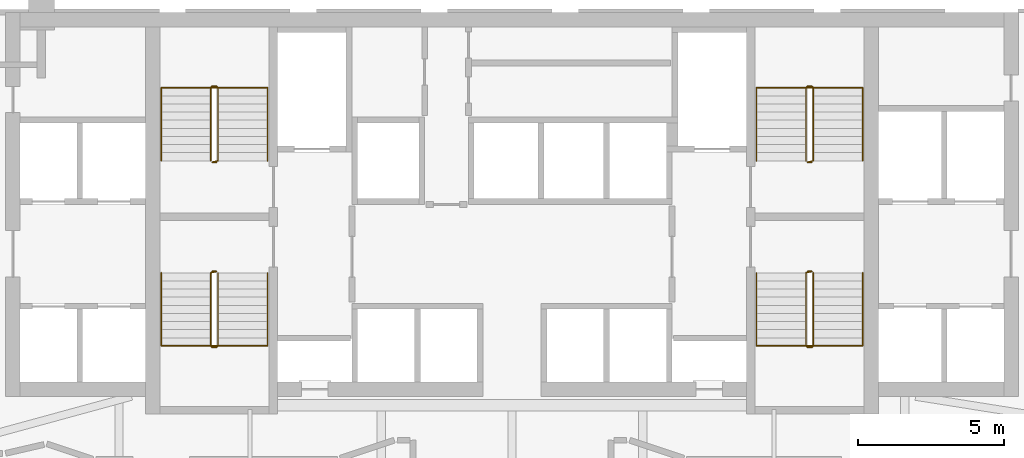
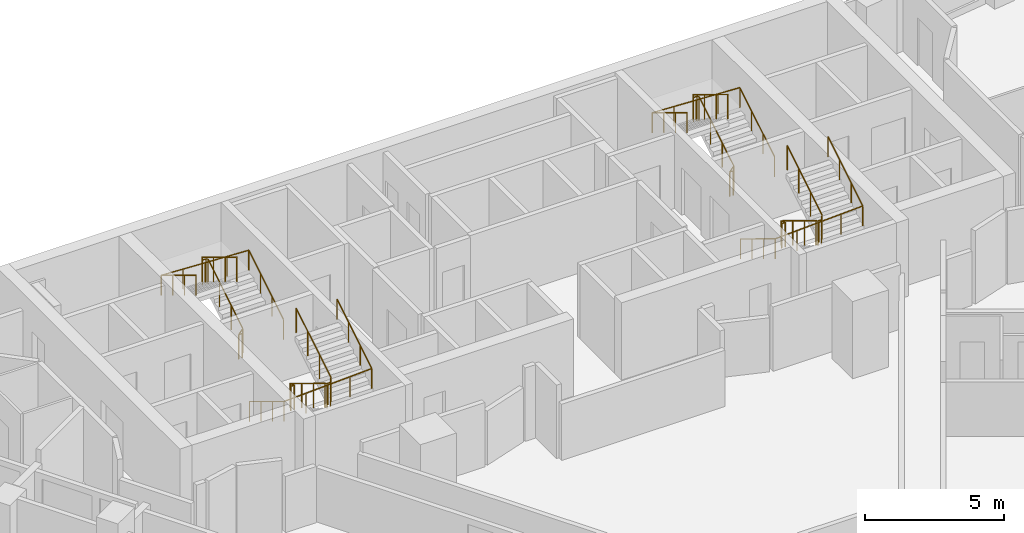
# One storey, part 10 of 10: 8 railings.
"""IFC4 building model written with IfcOpenShell, lengths in metres."""

from ifc_helpers import new_model, si_unit, direction, frame, origin, origin_2d, place, context, subcontext, project, spatial, circle, extrude, material, type_object, element, save


model = new_model("IFC4")

# Units and contexts
model_context = context("Model", 3, precision=1e-05, world=origin(), true_north=direction((0.0, 1.0)))
body_context = subcontext(model_context, "Body", "Model", "MODEL_VIEW")
ifc_project = project(units=[si_unit("LENGTHUNIT", "METRE"), si_unit("AREAUNIT", "SQUARE_METRE"), si_unit("VOLUMEUNIT", "CUBIC_METRE"), si_unit("PLANEANGLEUNIT", "RADIAN"), si_unit("MASSUNIT", "GRAM", prefix="KILO")], contexts=[model_context])

# Site, building, storey
site_placement = place(None, origin())
site = spatial("IfcSite", under=ifc_project, at=site_placement, CompositionType="ELEMENT")
building_placement = place(site_placement, origin())
building = spatial("IfcBuilding", under=site, at=building_placement, Name="Calabash Gate Tower", CompositionType="ELEMENT")
storey_placement = place(building_placement, frame((0.0, 0.0, 108.800048828125)))
storey = spatial("IfcBuildingStorey", under=building, at=storey_placement, Name="L24", CompositionType="ELEMENT", Elevation=108.800048828125)

# Railings
ifc_material_1 = material(Name="Black powder-coated steel balusters", Category="steel")
railing_type_1 = type_object("IfcRailingType", Name="Stair guard RL1100", PredefinedType="GUARDRAIL", material=ifc_material_1)
railing_1_placement = place(storey_placement, frame((-10.14990234375, 13.902587890625, 0.0)))
element("IfcRailing", 1, at=railing_1_placement, inside=storey, type_object=railing_type_1, Name="L24 ST1 stair guard 1", PredefinedType="GUARDRAIL", context=body_context, shape_type="SweptSolid", body=[
    extrude(circle(Radius=0.02392578125, at=origin_2d()), frame((0.0, 0.0, 1.076171875), z_axis=(-1.0, 0.0, 0.0), x_axis=(0.0, -1.0, 0.0)), (0.0, 0.0, 1.0), 0.150146484375),
    extrude(circle(Radius=0.02392578125, at=origin_2d()), frame((-0.150146484375, 0.0, 1.076171875), z_axis=(0.748514443355, 0.187357095101, 0.636100186295), x_axis=(-0.242814311512, 0.970072785993, 0.0)), (0.0, 0.0, 1.0), 0.26708984375),
    extrude(circle(Radius=0.02392578125, at=origin_2d()), frame((0.0498046875, 0.050048828125, 1.24609375), z_axis=(0.0, 0.853956361026, 0.520344629514), x_axis=(-1.0, 0.0, 0.0)), (0.0, 0.0, 1.0), 2.9404296875),
    extrude(circle(Radius=0.02392578125, at=origin_2d()), frame((0.0498046875, 2.56103515625, 2.77587890625), z_axis=(-0.705375805398, 0.708833529934, 0.0), x_axis=(-0.708833529934, -0.705375805398, 0.0)), (0.0, 0.0, 1.0), 0.070556640625),
    extrude(circle(Radius=0.02392578125, at=origin_2d()), frame((0.0, 2.611083984375, 2.77587890625), z_axis=(-1.0, 0.0, 0.0), x_axis=(0.0, -1.0, 0.0)), (0.0, 0.0, 1.0), 0.150146484375),
    extrude(circle(Radius=0.02392578125, at=origin_2d()), frame((-0.150146484375, 2.611083984375, 2.77587890625), z_axis=(-0.271895245746, -0.271895245746, 0.923117517265), x_axis=(0.707106781187, -0.707106781187, 0.0)), (0.0, 0.0, 1.0), 0.18408203125),
    extrude(circle(Radius=0.02392578125, at=origin_2d()), frame((-0.2001953125, 2.56103515625, 2.94580078125), z_axis=(0.0, -0.853956361026, 0.520344629514), x_axis=(1.0, 0.0, 0.0)), (0.0, 0.0, 1.0), 2.9404296875),
    extrude(circle(Radius=0.02099609375, at=origin_2d()), origin(), (0.0, 0.0, 1.0), 1.052001953125),
    extrude(circle(Radius=0.02099609375, at=origin_2d()), frame((-0.150146484375, 0.0, 0.0)), (0.0, 0.0, 1.0), 1.052001953125),
    extrude(circle(Radius=0.02099609375, at=origin_2d()), frame((0.0498046875, 0.050048828125, 0.169921875)), (0.0, 0.0, 1.0), 1.052001953125),
    extrude(circle(Radius=0.02099609375, at=origin_2d()), frame((0.0498046875, 0.886962890625, 0.679931640625)), (0.0, 0.0, 1.0), 1.052001953125),
    extrude(circle(Radius=0.02099609375, at=origin_2d()), frame((0.0498046875, 1.72412109375, 1.18994140625)), (0.0, 0.0, 1.0), 1.052001953125),
    extrude(circle(Radius=0.02099609375, at=origin_2d()), frame((0.0498046875, 2.56103515625, 1.699951171875)), (0.0, 0.0, 1.0), 1.052001953125),
    extrude(circle(Radius=0.02099609375, at=origin_2d()), frame((0.0, 2.611083984375, 1.699951171875)), (0.0, 0.0, 1.0), 1.052001953125),
    extrude(circle(Radius=0.02099609375, at=origin_2d()), frame((-0.150146484375, 2.611083984375, 1.699951171875)), (0.0, 0.0, 1.0), 1.052001953125),
    extrude(circle(Radius=0.02099609375, at=origin_2d()), frame((-0.2001953125, 2.56103515625, 1.869873046875)), (0.0, 0.0, 1.0), 1.052001953125),
    extrude(circle(Radius=0.02099609375, at=origin_2d()), frame((-0.2001953125, 1.72412109375, 2.3798828125)), (0.0, 0.0, 1.0), 1.052001953125),
    extrude(circle(Radius=0.02099609375, at=origin_2d()), frame((-0.2001953125, 0.886962890625, 2.889892578125)), (0.0, 0.0, 1.0), 1.052001953125),
    extrude(circle(Radius=0.02099609375, at=origin_2d()), frame((-0.2001953125, 0.050048828125, 3.39990234375)), (0.0, 0.0, 1.0), 1.052001953125),
])
railing_2_placement = place(storey_placement, frame((-10.300048828125, 10.152587890625, 0.0)))
element("IfcRailing", 2, at=railing_2_placement, inside=storey, type_object=railing_type_1, Name="L24 ST2 stair guard 1", PredefinedType="GUARDRAIL", context=body_context, shape_type="SweptSolid", body=[
    extrude(circle(Radius=0.02392578125, at=origin_2d()), frame((0.0, 0.0, 1.076171875), z_axis=(1.0, 0.0, 0.0), x_axis=(0.0, 1.0, 0.0)), (0.0, 0.0, 1.0), 0.150146484375),
    extrude(circle(Radius=0.02392578125, at=origin_2d()), frame((0.150146484375, 0.0, 1.076171875), z_axis=(-0.748915913269, -0.187228978317, 0.635665214189), x_axis=(0.242535625036, -0.970142500145, 0.0)), (0.0, 0.0, 1.0), 0.267333984375),
    extrude(circle(Radius=0.02392578125, at=origin_2d()), frame((-0.050048828125, -0.050048828125, 1.24609375), z_axis=(0.0, -0.853956361026, 0.520344629514), x_axis=(1.0, 0.0, 0.0)), (0.0, 0.0, 1.0), 2.9404296875),
    extrude(circle(Radius=0.02392578125, at=origin_2d()), frame((-0.050048828125, -2.56103515625, 2.77587890625), z_axis=(0.707106781187, -0.707106781187, 0.0), x_axis=(0.707106781187, 0.707106781187, 0.0)), (0.0, 0.0, 1.0), 0.07080078125),
    extrude(circle(Radius=0.02392578125, at=origin_2d()), frame((0.0, -2.611083984375, 2.77587890625), z_axis=(1.0, 0.0, 0.0), x_axis=(0.0, 1.0, 0.0)), (0.0, 0.0, 1.0), 0.150146484375),
    extrude(circle(Radius=0.02392578125, at=origin_2d()), frame((0.150146484375, -2.611083984375, 2.77587890625), z_axis=(0.270666314514, 0.271993110173, 0.92344977893), x_axis=(-0.708833529934, 0.705375805398, 0.0)), (0.0, 0.0, 1.0), 0.18408203125),
    extrude(circle(Radius=0.02392578125, at=origin_2d()), frame((0.199951171875, -2.56103515625, 2.94580078125), z_axis=(0.0, 0.853956361026, 0.520344629514), x_axis=(-1.0, 0.0, 0.0)), (0.0, 0.0, 1.0), 2.9404296875),
    extrude(circle(Radius=0.02099609375, at=origin_2d()), origin(), (0.0, 0.0, 1.0), 1.052001953125),
    extrude(circle(Radius=0.02099609375, at=origin_2d()), frame((0.150146484375, 0.0, 0.0)), (0.0, 0.0, 1.0), 1.052001953125),
    extrude(circle(Radius=0.02099609375, at=origin_2d()), frame((-0.050048828125, -0.050048828125, 0.169921875)), (0.0, 0.0, 1.0), 1.052001953125),
    extrude(circle(Radius=0.02099609375, at=origin_2d()), frame((-0.050048828125, -0.886962890625, 0.679931640625)), (0.0, 0.0, 1.0), 1.052001953125),
    extrude(circle(Radius=0.02099609375, at=origin_2d()), frame((-0.050048828125, -1.72412109375, 1.18994140625)), (0.0, 0.0, 1.0), 1.052001953125),
    extrude(circle(Radius=0.02099609375, at=origin_2d()), frame((-0.050048828125, -2.56103515625, 1.699951171875)), (0.0, 0.0, 1.0), 1.052001953125),
    extrude(circle(Radius=0.02099609375, at=origin_2d()), frame((0.0, -2.611083984375, 1.699951171875)), (0.0, 0.0, 1.0), 1.052001953125),
    extrude(circle(Radius=0.02099609375, at=origin_2d()), frame((0.150146484375, -2.611083984375, 1.699951171875)), (0.0, 0.0, 1.0), 1.052001953125),
    extrude(circle(Radius=0.02099609375, at=origin_2d()), frame((0.199951171875, -2.56103515625, 1.869873046875)), (0.0, 0.0, 1.0), 1.052001953125),
    extrude(circle(Radius=0.02099609375, at=origin_2d()), frame((0.199951171875, -1.72412109375, 2.3798828125)), (0.0, 0.0, 1.0), 1.052001953125),
    extrude(circle(Radius=0.02099609375, at=origin_2d()), frame((0.199951171875, -0.886962890625, 2.889892578125)), (0.0, 0.0, 1.0), 1.052001953125),
    extrude(circle(Radius=0.02099609375, at=origin_2d()), frame((0.199951171875, -0.050048828125, 3.39990234375)), (0.0, 0.0, 1.0), 1.052001953125),
])
railing_3_placement = place(storey_placement, frame((10.300048828125, 13.902587890625, 0.0)))
element("IfcRailing", 3, at=railing_3_placement, inside=storey, type_object=railing_type_1, Name="L24 ST3 stair guard 1", PredefinedType="GUARDRAIL", context=body_context, shape_type="SweptSolid", body=[
    extrude(circle(Radius=0.02392578125, at=origin_2d()), frame((0.0, 0.0, 1.076171875), z_axis=(-1.0, 0.0, 0.0), x_axis=(0.0, -1.0, 0.0)), (0.0, 0.0, 1.0), 0.150146484375),
    extrude(circle(Radius=0.02392578125, at=origin_2d()), frame((-0.150146484375, 0.0, 1.076171875), z_axis=(0.748915913269, 0.187228978317, 0.635665214189), x_axis=(-0.242535625036, 0.970142500145, 0.0)), (0.0, 0.0, 1.0), 0.267333984375),
    extrude(circle(Radius=0.02392578125, at=origin_2d()), frame((0.050048828125, 0.050048828125, 1.24609375), z_axis=(0.0, 0.853956361026, 0.520344629514), x_axis=(-1.0, 0.0, 0.0)), (0.0, 0.0, 1.0), 2.9404296875),
    extrude(circle(Radius=0.02392578125, at=origin_2d()), frame((0.050048828125, 2.56103515625, 2.77587890625), z_axis=(-0.707106781187, 0.707106781187, 0.0), x_axis=(-0.707106781187, -0.707106781187, 0.0)), (0.0, 0.0, 1.0), 0.07080078125),
    extrude(circle(Radius=0.02392578125, at=origin_2d()), frame((0.0, 2.611083984375, 2.77587890625), z_axis=(-1.0, 0.0, 0.0), x_axis=(0.0, -1.0, 0.0)), (0.0, 0.0, 1.0), 0.150146484375),
    extrude(circle(Radius=0.02392578125, at=origin_2d()), frame((-0.150146484375, 2.611083984375, 2.77587890625), z_axis=(-0.270666314514, -0.271993110173, 0.92344977893), x_axis=(0.708833529934, -0.705375805398, 0.0)), (0.0, 0.0, 1.0), 0.18408203125),
    extrude(circle(Radius=0.02392578125, at=origin_2d()), frame((-0.199951171875, 2.56103515625, 2.94580078125), z_axis=(0.0, -0.853956361026, 0.520344629514), x_axis=(1.0, 0.0, 0.0)), (0.0, 0.0, 1.0), 2.9404296875),
    extrude(circle(Radius=0.02099609375, at=origin_2d()), origin(), (0.0, 0.0, 1.0), 1.052001953125),
    extrude(circle(Radius=0.02099609375, at=origin_2d()), frame((-0.150146484375, 0.0, 0.0)), (0.0, 0.0, 1.0), 1.052001953125),
    extrude(circle(Radius=0.02099609375, at=origin_2d()), frame((0.050048828125, 0.050048828125, 0.169921875)), (0.0, 0.0, 1.0), 1.052001953125),
    extrude(circle(Radius=0.02099609375, at=origin_2d()), frame((0.050048828125, 0.886962890625, 0.679931640625)), (0.0, 0.0, 1.0), 1.052001953125),
    extrude(circle(Radius=0.02099609375, at=origin_2d()), frame((0.050048828125, 1.72412109375, 1.18994140625)), (0.0, 0.0, 1.0), 1.052001953125),
    extrude(circle(Radius=0.02099609375, at=origin_2d()), frame((0.050048828125, 2.56103515625, 1.699951171875)), (0.0, 0.0, 1.0), 1.052001953125),
    extrude(circle(Radius=0.02099609375, at=origin_2d()), frame((0.0, 2.611083984375, 1.699951171875)), (0.0, 0.0, 1.0), 1.052001953125),
    extrude(circle(Radius=0.02099609375, at=origin_2d()), frame((-0.150146484375, 2.611083984375, 1.699951171875)), (0.0, 0.0, 1.0), 1.052001953125),
    extrude(circle(Radius=0.02099609375, at=origin_2d()), frame((-0.199951171875, 2.56103515625, 1.869873046875)), (0.0, 0.0, 1.0), 1.052001953125),
    extrude(circle(Radius=0.02099609375, at=origin_2d()), frame((-0.199951171875, 1.72412109375, 2.3798828125)), (0.0, 0.0, 1.0), 1.052001953125),
    extrude(circle(Radius=0.02099609375, at=origin_2d()), frame((-0.199951171875, 0.886962890625, 2.889892578125)), (0.0, 0.0, 1.0), 1.052001953125),
    extrude(circle(Radius=0.02099609375, at=origin_2d()), frame((-0.199951171875, 0.050048828125, 3.39990234375)), (0.0, 0.0, 1.0), 1.052001953125),
])
railing_4_placement = place(storey_placement, frame((10.14990234375, 10.152587890625, 0.0)))
element("IfcRailing", 4, at=railing_4_placement, inside=storey, type_object=railing_type_1, Name="L24 ST4 stair guard 1", PredefinedType="GUARDRAIL", context=body_context, shape_type="SweptSolid", body=[
    extrude(circle(Radius=0.02392578125, at=origin_2d()), frame((0.0, 0.0, 1.076171875), z_axis=(1.0, 0.0, 0.0), x_axis=(0.0, 1.0, 0.0)), (0.0, 0.0, 1.0), 0.150146484375),
    extrude(circle(Radius=0.02392578125, at=origin_2d()), frame((0.150146484375, 0.0, 1.076171875), z_axis=(-0.748514443355, -0.187357095101, 0.636100186295), x_axis=(0.242814311512, -0.970072785993, 0.0)), (0.0, 0.0, 1.0), 0.26708984375),
    extrude(circle(Radius=0.02392578125, at=origin_2d()), frame((-0.0498046875, -0.050048828125, 1.24609375), z_axis=(0.0, -0.853956361026, 0.520344629514), x_axis=(1.0, 0.0, 0.0)), (0.0, 0.0, 1.0), 2.9404296875),
    extrude(circle(Radius=0.02392578125, at=origin_2d()), frame((-0.0498046875, -2.56103515625, 2.77587890625), z_axis=(0.705375805398, -0.708833529934, 0.0), x_axis=(0.708833529934, 0.705375805398, 0.0)), (0.0, 0.0, 1.0), 0.070556640625),
    extrude(circle(Radius=0.02392578125, at=origin_2d()), frame((0.0, -2.611083984375, 2.77587890625), z_axis=(1.0, 0.0, 0.0), x_axis=(0.0, 1.0, 0.0)), (0.0, 0.0, 1.0), 0.150146484375),
    extrude(circle(Radius=0.02392578125, at=origin_2d()), frame((0.150146484375, -2.611083984375, 2.77587890625), z_axis=(0.271895245746, 0.271895245746, 0.923117517265), x_axis=(-0.707106781187, 0.707106781187, 0.0)), (0.0, 0.0, 1.0), 0.18408203125),
    extrude(circle(Radius=0.02392578125, at=origin_2d()), frame((0.2001953125, -2.56103515625, 2.94580078125), z_axis=(0.0, 0.853956361026, 0.520344629514), x_axis=(-1.0, 0.0, 0.0)), (0.0, 0.0, 1.0), 2.9404296875),
    extrude(circle(Radius=0.02099609375, at=origin_2d()), origin(), (0.0, 0.0, 1.0), 1.052001953125),
    extrude(circle(Radius=0.02099609375, at=origin_2d()), frame((0.150146484375, 0.0, 0.0)), (0.0, 0.0, 1.0), 1.052001953125),
    extrude(circle(Radius=0.02099609375, at=origin_2d()), frame((-0.0498046875, -0.050048828125, 0.169921875)), (0.0, 0.0, 1.0), 1.052001953125),
    extrude(circle(Radius=0.02099609375, at=origin_2d()), frame((-0.0498046875, -0.886962890625, 0.679931640625)), (0.0, 0.0, 1.0), 1.052001953125),
    extrude(circle(Radius=0.02099609375, at=origin_2d()), frame((-0.0498046875, -1.72412109375, 1.18994140625)), (0.0, 0.0, 1.0), 1.052001953125),
    extrude(circle(Radius=0.02099609375, at=origin_2d()), frame((-0.0498046875, -2.56103515625, 1.699951171875)), (0.0, 0.0, 1.0), 1.052001953125),
    extrude(circle(Radius=0.02099609375, at=origin_2d()), frame((0.0, -2.611083984375, 1.699951171875)), (0.0, 0.0, 1.0), 1.052001953125),
    extrude(circle(Radius=0.02099609375, at=origin_2d()), frame((0.150146484375, -2.611083984375, 1.699951171875)), (0.0, 0.0, 1.0), 1.052001953125),
    extrude(circle(Radius=0.02099609375, at=origin_2d()), frame((0.2001953125, -2.56103515625, 1.869873046875)), (0.0, 0.0, 1.0), 1.052001953125),
    extrude(circle(Radius=0.02099609375, at=origin_2d()), frame((0.2001953125, -1.72412109375, 2.3798828125)), (0.0, 0.0, 1.0), 1.052001953125),
    extrude(circle(Radius=0.02099609375, at=origin_2d()), frame((0.2001953125, -0.886962890625, 2.889892578125)), (0.0, 0.0, 1.0), 1.052001953125),
    extrude(circle(Radius=0.02099609375, at=origin_2d()), frame((0.2001953125, -0.050048828125, 3.39990234375)), (0.0, 0.0, 1.0), 1.052001953125),
])
ifc_material_2 = material(Name="Black powder-coated steel tube 48 mm", Category="steel")
railing_type_2 = type_object("IfcRailingType", Name="Stair handrail RL900", PredefinedType="HANDRAIL", material=ifc_material_2)
railing_5_placement = place(storey_placement, frame((-8.39990234375, 13.95263671875, 0.169921875)))
element("IfcRailing", 5, at=railing_5_placement, inside=storey, type_object=railing_type_2, Name="L24 ST1 stair handrail 1", PredefinedType="HANDRAIL", context=body_context, shape_type="SweptSolid", body=[
    extrude(circle(Radius=0.02392578125, at=origin_2d()), frame((0.0, 0.0, 0.8759765625), z_axis=(0.0, 0.853956361026, 0.520344629514), x_axis=(-1.0, 0.0, 0.0)), (0.0, 0.0, 1.0), 2.9404296875),
    extrude(circle(Radius=0.02392578125, at=origin_2d()), frame((0.0, 2.510986328125, 2.40576171875), z_axis=(-0.998918210324, 0.0, 0.046501710547), x_axis=(0.0, -1.0, 0.0)), (0.0, 0.0, 1.0), 3.654052734375),
    extrude(circle(Radius=0.02392578125, at=origin_2d()), frame((-3.650146484375, 2.510986328125, 2.57568359375), z_axis=(0.0, -0.853956361026, 0.520344629514), x_axis=(1.0, 0.0, 0.0)), (0.0, 0.0, 1.0), 2.9404296875),
    extrude(circle(Radius=0.02099609375, at=origin_2d()), origin(), (0.0, 0.0, 1.0), 0.851806640625),
    extrude(circle(Radius=0.02099609375, at=origin_2d()), frame((0.0, 0.8369140625, 0.510009765625)), (0.0, 0.0, 1.0), 0.851806640625),
    extrude(circle(Radius=0.02099609375, at=origin_2d()), frame((0.0, 1.674072265625, 1.02001953125)), (0.0, 0.0, 1.0), 0.851806640625),
    extrude(circle(Radius=0.02099609375, at=origin_2d()), frame((0.0, 2.510986328125, 1.530029296875)), (0.0, 0.0, 1.0), 0.851806640625),
    extrude(circle(Radius=0.02099609375, at=origin_2d()), frame((-0.91259765625, 2.510986328125, 1.572509765625)), (0.0, 0.0, 1.0), 0.851806640625),
    extrude(circle(Radius=0.02099609375, at=origin_2d()), frame((-1.8251953125, 2.510986328125, 1.614990234375)), (0.0, 0.0, 1.0), 0.851806640625),
    extrude(circle(Radius=0.02099609375, at=origin_2d()), frame((-2.737548828125, 2.510986328125, 1.657470703125)), (0.0, 0.0, 1.0), 0.851806640625),
    extrude(circle(Radius=0.02099609375, at=origin_2d()), frame((-3.650146484375, 2.510986328125, 1.699951171875)), (0.0, 0.0, 1.0), 0.851806640625),
    extrude(circle(Radius=0.02099609375, at=origin_2d()), frame((-3.650146484375, 1.674072265625, 2.2099609375)), (0.0, 0.0, 1.0), 0.851806640625),
    extrude(circle(Radius=0.02099609375, at=origin_2d()), frame((-3.650146484375, 0.8369140625, 2.719970703125)), (0.0, 0.0, 1.0), 0.851806640625),
    extrude(circle(Radius=0.02099609375, at=origin_2d()), frame((-3.650146484375, 0.0, 3.22998046875)), (0.0, 0.0, 1.0), 0.851806640625),
])
railing_6_placement = place(storey_placement, frame((-12.050048828125, 10.1025390625, 0.169921875)))
element("IfcRailing", 6, at=railing_6_placement, inside=storey, type_object=railing_type_2, Name="L24 ST2 stair handrail 1", PredefinedType="HANDRAIL", context=body_context, shape_type="SweptSolid", body=[
    extrude(circle(Radius=0.02392578125, at=origin_2d()), frame((0.0, 0.0, 0.8759765625), z_axis=(0.0, -0.853956361026, 0.520344629514), x_axis=(1.0, 0.0, 0.0)), (0.0, 0.0, 1.0), 2.9404296875),
    extrude(circle(Radius=0.02392578125, at=origin_2d()), frame((0.0, -2.510986328125, 2.40576171875), z_axis=(0.998918210324, 0.0, 0.046501710547), x_axis=(0.0, 1.0, 0.0)), (0.0, 0.0, 1.0), 3.654052734375),
    extrude(circle(Radius=0.02392578125, at=origin_2d()), frame((3.650146484375, -2.510986328125, 2.57568359375), z_axis=(0.0, 0.853956361026, 0.520344629514), x_axis=(-1.0, 0.0, 0.0)), (0.0, 0.0, 1.0), 2.9404296875),
    extrude(circle(Radius=0.02099609375, at=origin_2d()), origin(), (0.0, 0.0, 1.0), 0.851806640625),
    extrude(circle(Radius=0.02099609375, at=origin_2d()), frame((0.0, -0.8369140625, 0.510009765625)), (0.0, 0.0, 1.0), 0.851806640625),
    extrude(circle(Radius=0.02099609375, at=origin_2d()), frame((0.0, -1.674072265625, 1.02001953125)), (0.0, 0.0, 1.0), 0.851806640625),
    extrude(circle(Radius=0.02099609375, at=origin_2d()), frame((0.0, -2.510986328125, 1.530029296875)), (0.0, 0.0, 1.0), 0.851806640625),
    extrude(circle(Radius=0.02099609375, at=origin_2d()), frame((0.91259765625, -2.510986328125, 1.572509765625)), (0.0, 0.0, 1.0), 0.851806640625),
    extrude(circle(Radius=0.02099609375, at=origin_2d()), frame((1.8251953125, -2.510986328125, 1.614990234375)), (0.0, 0.0, 1.0), 0.851806640625),
    extrude(circle(Radius=0.02099609375, at=origin_2d()), frame((2.737548828125, -2.510986328125, 1.657470703125)), (0.0, 0.0, 1.0), 0.851806640625),
    extrude(circle(Radius=0.02099609375, at=origin_2d()), frame((3.650146484375, -2.510986328125, 1.699951171875)), (0.0, 0.0, 1.0), 0.851806640625),
    extrude(circle(Radius=0.02099609375, at=origin_2d()), frame((3.650146484375, -1.674072265625, 2.2099609375)), (0.0, 0.0, 1.0), 0.851806640625),
    extrude(circle(Radius=0.02099609375, at=origin_2d()), frame((3.650146484375, -0.8369140625, 2.719970703125)), (0.0, 0.0, 1.0), 0.851806640625),
    extrude(circle(Radius=0.02099609375, at=origin_2d()), frame((3.650146484375, 0.0, 3.22998046875)), (0.0, 0.0, 1.0), 0.851806640625),
])
railing_7_placement = place(storey_placement, frame((12.050048828125, 13.95263671875, 0.169921875)))
element("IfcRailing", 7, at=railing_7_placement, inside=storey, type_object=railing_type_2, Name="L24 ST3 stair handrail 1", PredefinedType="HANDRAIL", context=body_context, shape_type="SweptSolid", body=[
    extrude(circle(Radius=0.02392578125, at=origin_2d()), frame((0.0, 0.0, 0.8759765625), z_axis=(0.0, 0.853956361026, 0.520344629514), x_axis=(-1.0, 0.0, 0.0)), (0.0, 0.0, 1.0), 2.9404296875),
    extrude(circle(Radius=0.02392578125, at=origin_2d()), frame((0.0, 2.510986328125, 2.40576171875), z_axis=(-0.998918210324, 0.0, 0.046501710547), x_axis=(0.0, -1.0, 0.0)), (0.0, 0.0, 1.0), 3.654052734375),
    extrude(circle(Radius=0.02392578125, at=origin_2d()), frame((-3.650146484375, 2.510986328125, 2.57568359375), z_axis=(0.0, -0.853956361026, 0.520344629514), x_axis=(1.0, 0.0, 0.0)), (0.0, 0.0, 1.0), 2.9404296875),
    extrude(circle(Radius=0.02099609375, at=origin_2d()), origin(), (0.0, 0.0, 1.0), 0.851806640625),
    extrude(circle(Radius=0.02099609375, at=origin_2d()), frame((0.0, 0.8369140625, 0.510009765625)), (0.0, 0.0, 1.0), 0.851806640625),
    extrude(circle(Radius=0.02099609375, at=origin_2d()), frame((0.0, 1.674072265625, 1.02001953125)), (0.0, 0.0, 1.0), 0.851806640625),
    extrude(circle(Radius=0.02099609375, at=origin_2d()), frame((0.0, 2.510986328125, 1.530029296875)), (0.0, 0.0, 1.0), 0.851806640625),
    extrude(circle(Radius=0.02099609375, at=origin_2d()), frame((-0.91259765625, 2.510986328125, 1.572509765625)), (0.0, 0.0, 1.0), 0.851806640625),
    extrude(circle(Radius=0.02099609375, at=origin_2d()), frame((-1.8251953125, 2.510986328125, 1.614990234375)), (0.0, 0.0, 1.0), 0.851806640625),
    extrude(circle(Radius=0.02099609375, at=origin_2d()), frame((-2.737548828125, 2.510986328125, 1.657470703125)), (0.0, 0.0, 1.0), 0.851806640625),
    extrude(circle(Radius=0.02099609375, at=origin_2d()), frame((-3.650146484375, 2.510986328125, 1.699951171875)), (0.0, 0.0, 1.0), 0.851806640625),
    extrude(circle(Radius=0.02099609375, at=origin_2d()), frame((-3.650146484375, 1.674072265625, 2.2099609375)), (0.0, 0.0, 1.0), 0.851806640625),
    extrude(circle(Radius=0.02099609375, at=origin_2d()), frame((-3.650146484375, 0.8369140625, 2.719970703125)), (0.0, 0.0, 1.0), 0.851806640625),
    extrude(circle(Radius=0.02099609375, at=origin_2d()), frame((-3.650146484375, 0.0, 3.22998046875)), (0.0, 0.0, 1.0), 0.851806640625),
])
railing_8_placement = place(storey_placement, frame((8.39990234375, 10.1025390625, 0.169921875)))
element("IfcRailing", 8, at=railing_8_placement, inside=storey, type_object=railing_type_2, Name="L24 ST4 stair handrail 1", PredefinedType="HANDRAIL", context=body_context, shape_type="SweptSolid", body=[
    extrude(circle(Radius=0.02392578125, at=origin_2d()), frame((0.0, 0.0, 0.8759765625), z_axis=(0.0, -0.853956361026, 0.520344629514), x_axis=(1.0, 0.0, 0.0)), (0.0, 0.0, 1.0), 2.9404296875),
    extrude(circle(Radius=0.02392578125, at=origin_2d()), frame((0.0, -2.510986328125, 2.40576171875), z_axis=(0.998918210324, 0.0, 0.046501710547), x_axis=(0.0, 1.0, 0.0)), (0.0, 0.0, 1.0), 3.654052734375),
    extrude(circle(Radius=0.02392578125, at=origin_2d()), frame((3.650146484375, -2.510986328125, 2.57568359375), z_axis=(0.0, 0.853956361026, 0.520344629514), x_axis=(-1.0, 0.0, 0.0)), (0.0, 0.0, 1.0), 2.9404296875),
    extrude(circle(Radius=0.02099609375, at=origin_2d()), origin(), (0.0, 0.0, 1.0), 0.851806640625),
    extrude(circle(Radius=0.02099609375, at=origin_2d()), frame((0.0, -0.8369140625, 0.510009765625)), (0.0, 0.0, 1.0), 0.851806640625),
    extrude(circle(Radius=0.02099609375, at=origin_2d()), frame((0.0, -1.674072265625, 1.02001953125)), (0.0, 0.0, 1.0), 0.851806640625),
    extrude(circle(Radius=0.02099609375, at=origin_2d()), frame((0.0, -2.510986328125, 1.530029296875)), (0.0, 0.0, 1.0), 0.851806640625),
    extrude(circle(Radius=0.02099609375, at=origin_2d()), frame((0.91259765625, -2.510986328125, 1.572509765625)), (0.0, 0.0, 1.0), 0.851806640625),
    extrude(circle(Radius=0.02099609375, at=origin_2d()), frame((1.8251953125, -2.510986328125, 1.614990234375)), (0.0, 0.0, 1.0), 0.851806640625),
    extrude(circle(Radius=0.02099609375, at=origin_2d()), frame((2.737548828125, -2.510986328125, 1.657470703125)), (0.0, 0.0, 1.0), 0.851806640625),
    extrude(circle(Radius=0.02099609375, at=origin_2d()), frame((3.650146484375, -2.510986328125, 1.699951171875)), (0.0, 0.0, 1.0), 0.851806640625),
    extrude(circle(Radius=0.02099609375, at=origin_2d()), frame((3.650146484375, -1.674072265625, 2.2099609375)), (0.0, 0.0, 1.0), 0.851806640625),
    extrude(circle(Radius=0.02099609375, at=origin_2d()), frame((3.650146484375, -0.8369140625, 2.719970703125)), (0.0, 0.0, 1.0), 0.851806640625),
    extrude(circle(Radius=0.02099609375, at=origin_2d()), frame((3.650146484375, 0.0, 3.22998046875)), (0.0, 0.0, 1.0), 0.851806640625),
])

save(model, "model.ifc")
